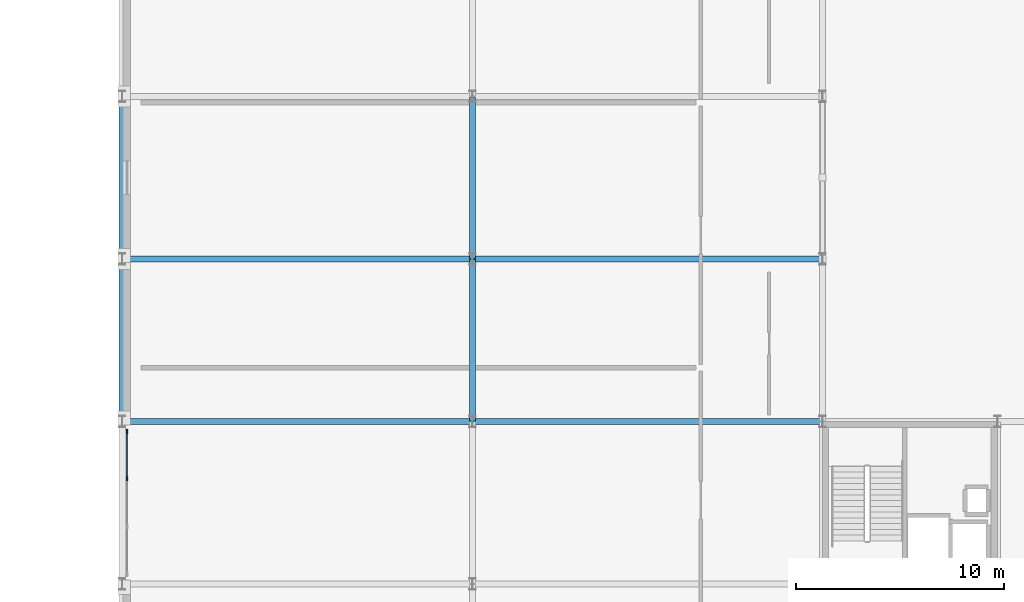
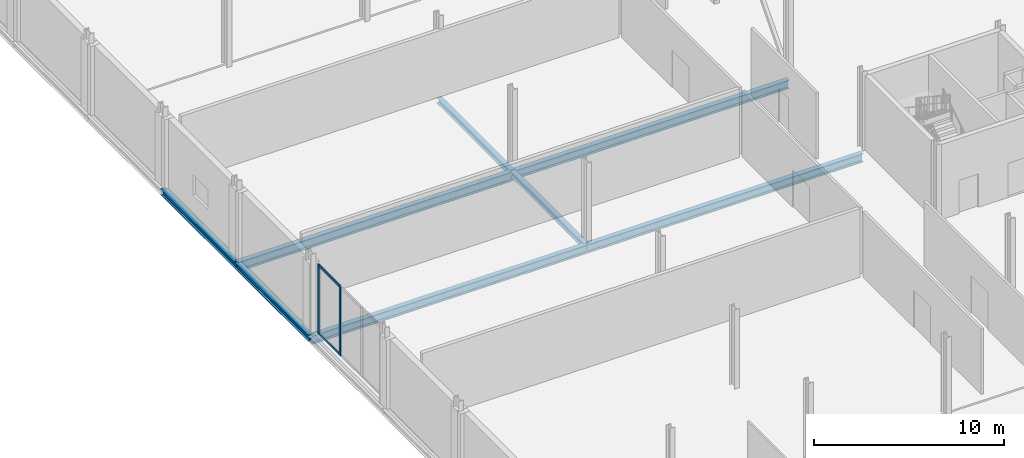
# One storey, part 39 of 105: 8 beams, 4 members, 1 element without a shape of its own.
"""IFC4 building model written with IfcOpenShell, lengths in metres."""

import ifcopenshell
import ifcopenshell.guid

model = None  # the IFC model being written
_history = None  # IfcOwnerHistory: only IFC2X3 demands one
_inside = {}  # id of a spatial element -> (the spatial element, [elements in it])
_under = {}  # id of a project, library or spatial element -> (it, [spatial elements below it])
_declared = {}  # id of a project -> (the project, [libraries it declares])
_typed = {}  # id of a type object -> (the type object, [elements of that type])
_made_of = {}  # id of a material, layer set ... -> (it, [elements and type objects made of it])


def new_model(schema):
    """Start an empty IFC model of exactly this schema.

    Asked for "IFC4X3", IfcOpenShell would pick the latest addendum, in which some entities
    have other attributes; the version numbers below select the first issue.
    IFC2X3 requires an IfcOwnerHistory on every rooted entity: one is made here for all.
    """
    global model, _history
    if schema == "IFC4X3":
        model = ifcopenshell.file(schema_version=(4, 3, 0, 0))
    else:
        model = ifcopenshell.file(schema=schema)
    _inside.clear()
    _under.clear()
    _declared.clear()
    _typed.clear()
    _made_of.clear()
    _history = None
    if model.schema == "IFC2X3":
        org = make("IfcOrganization", Name="unknown")
        user = make(
            "IfcPersonAndOrganization",
            ThePerson=make("IfcPerson", FamilyName="unknown"),
            TheOrganization=org,
        )
        app = make(
            "IfcApplication",
            ApplicationDeveloper=org,
            Version="unknown",
            ApplicationFullName="unknown",
            ApplicationIdentifier="unknown",
        )
        _history = make(
            "IfcOwnerHistory",
            OwningUser=user,
            OwningApplication=app,
            ChangeAction="ADDED",
            CreationDate=0,
        )
    return model


def make(cls, **values):
    """One entity of the class cls with the attributes given. An attribute that is None is left unset."""
    return model.create_entity(
        cls, **{name: value for name, value in values.items() if value is not None}
    )


def rooted(cls, **values):
    """An entity with a GlobalId (a new one), such as an element, a storey or a relation."""
    return make(cls, GlobalId=ifcopenshell.guid.new(), OwnerHistory=_history, **values)


def si_unit(unit_type, name, prefix=None):
    """IfcSIUnit, for example si_unit("LENGTHUNIT", "METRE", prefix="MILLI")."""
    return make("IfcSIUnit", UnitType=unit_type, Prefix=prefix, Name=name)


def assignment(units):
    """IfcUnitAssignment: the units of a project."""
    return None if units is None else make("IfcUnitAssignment", Units=units)


def point(xyz):
    """IfcCartesianPoint."""
    return None if xyz is None else make("IfcCartesianPoint", Coordinates=xyz)


def direction(xyz):
    """IfcDirection."""
    return None if xyz is None else make("IfcDirection", DirectionRatios=xyz)


def frame(location, z_axis=None, x_axis=None):
    """IfcAxis2Placement3D, a coordinate frame: its origin and axes. An axis left out is left unset."""
    return make(
        "IfcAxis2Placement3D",
        Location=point(location),
        Axis=direction(z_axis),
        RefDirection=direction(x_axis),
    )


def frame_2d(location, x_axis=None):
    """IfcAxis2Placement2D, a coordinate frame in the plane: its origin and x axis."""
    return make(
        "IfcAxis2Placement2D", Location=point(location), RefDirection=direction(x_axis)
    )


def origin():
    """The frame at (0, 0, 0) with its axes left unset."""
    return frame((0.0, 0.0, 0.0))


def origin_2d():
    """The frame at (0, 0) in the plane with its x axis left unset."""
    return frame_2d((0.0, 0.0))


def place(relative_to, where):
    """IfcLocalPlacement: puts the frame where relative to a parent placement (None: the world)."""
    return make(
        "IfcLocalPlacement", PlacementRelTo=relative_to, RelativePlacement=where
    )


def context(
    kind, dimensions, precision=None, world=None, true_north=None, identifier=None
):
    """IfcGeometricRepresentationContext, for example the 3D "Model" context."""
    return make(
        "IfcGeometricRepresentationContext",
        ContextIdentifier=identifier,
        ContextType=kind,
        CoordinateSpaceDimension=dimensions,
        Precision=precision,
        WorldCoordinateSystem=world,
        TrueNorth=true_north,
    )


def subcontext(parent, identifier, kind, view, scale=None):
    """IfcGeometricRepresentationSubContext, for example "Body" below "Model"."""
    return make(
        "IfcGeometricRepresentationSubContext",
        ContextIdentifier=identifier,
        ContextType=kind,
        ParentContext=parent,
        TargetScale=scale,
        TargetView=view,
    )


def project(units=None, contexts=None):
    """IfcProject with its units and contexts."""
    return rooted(
        "IfcProject",
        Name="project",
        RepresentationContexts=contexts,
        UnitsInContext=assignment(units),
    )


def spatial(cls, under=None, at=None, **own):
    """A site, building, storey or space (cls), placed at a placement, below another one or the project."""
    s = rooted(cls, ObjectPlacement=at, **own)
    if under is not None:
        _under.setdefault(under.id(), (under, []))[1].append(s)
    return s


def profile(cls, at=None, kind="AREA", **sizes):
    """A parametric profile (cls). Its sizes go by their IFC names, for example OverallWidth=200.0."""
    return make(cls, ProfileType=kind, Position=at, **sizes)


def rectangle(**sizes):
    """IfcRectangleProfileDef."""
    return profile("IfcRectangleProfileDef", **sizes)


def i_section(**sizes):
    """IfcIShapeProfileDef."""
    return profile("IfcIShapeProfileDef", **sizes)


def extrude(swept, where, along, depth):
    """IfcExtrudedAreaSolid: the profile swept, set in the frame where, extruded along a direction by depth."""
    return make(
        "IfcExtrudedAreaSolid",
        SweptArea=swept,
        Position=where,
        ExtrudedDirection=direction(along),
        Depth=depth,
    )


def shape(context_of_items, identifier, shape_type, items):
    """IfcShapeRepresentation: the items that make up one representation, for example the "Body"."""
    return make(
        "IfcShapeRepresentation",
        ContextOfItems=context_of_items,
        RepresentationIdentifier=identifier,
        RepresentationType=shape_type,
        Items=items,
    )


def material(Name=None, Category=None):
    """IfcMaterial."""
    return make("IfcMaterial", Name=Name, Category=Category)


def material_profile(
    of_material, cross_section, Name=None, Category=None, Priority=None
):
    """IfcMaterialProfile: a cross section and its material."""
    return make(
        "IfcMaterialProfile",
        Name=Name,
        Material=of_material,
        Profile=cross_section,
        Priority=Priority,
        Category=Category,
    )


def profile_set(profiles, Name=None, composite=None):
    """IfcMaterialProfileSet."""
    return make(
        "IfcMaterialProfileSet",
        Name=Name,
        MaterialProfiles=profiles,
        CompositeProfile=composite,
    )


def made_of(thing, what):
    """Note that an element or type object is made of a material, layer set ...; save() writes the relation."""
    if what is not None:
        _made_of.setdefault(what.id(), (what, []))[1].append(thing)
    return thing


def type_object(cls, material=None, **own):
    """A type object (cls), such as IfcWallType, which elements share."""
    return made_of(rooted(cls, **own), material)


def element(
    cls,
    number,
    at=None,
    inside=None,
    cuts=None,
    type_object=None,
    material=None,
    context=None,
    identifier="Body",
    shape_type=None,
    held_by="IfcProductDefinitionShape",
    body=None,
    shapes=None,
    **own,
):
    """One element of the class cls, such as IfcWall. Its Tag is "e" and its number.

    at: its placement. inside: the storey or other place that contains it. cuts: it is an
    opening in that element (IfcRelVoidsElement). A single representation is given by context,
    identifier, shape_type and body (its items); several are given by shapes. held_by: the class
    of the entity that holds the representations. save() writes the other relations.
    """
    e = rooted(cls, Tag="e%d" % number, ObjectPlacement=at, **own)
    if body is not None:
        shapes = [shape(context, identifier, shape_type, body)]
    if shapes is not None:
        e.Representation = make(held_by, Representations=shapes)
    if inside is not None:
        _inside.setdefault(inside.id(), (inside, []))[1].append(e)
    if cuts is not None:
        rooted(
            "IfcRelVoidsElement", RelatingBuildingElement=cuts, RelatedOpeningElement=e
        )
    if type_object is not None:
        _typed.setdefault(type_object.id(), (type_object, []))[1].append(e)
    return made_of(e, material)


def aggregate(whole, parts):
    """IfcRelAggregates: a whole, such as a stair, and the parts it consists of."""
    return rooted("IfcRelAggregates", RelatingObject=whole, RelatedObjects=parts)


def save(model, path):
    """Write the relations noted so far, then the file.

    IfcRelAggregates (storeys below a building ...), IfcRelContainedInSpatialStructure (elements
    in a storey), IfcRelDefinesByType, IfcRelAssociatesMaterial and IfcRelDeclares: one each for
    every whole, place, type object, material and project.
    """
    for whole, parts in _under.values():
        aggregate(whole, parts)
    for where, things in _inside.values():
        rooted(
            "IfcRelContainedInSpatialStructure",
            RelatedElements=things,
            RelatingStructure=where,
        )
    for kind, things in _typed.values():
        rooted("IfcRelDefinesByType", RelatedObjects=things, RelatingType=kind)
    for what, things in _made_of.values():
        rooted("IfcRelAssociatesMaterial", RelatedObjects=things, RelatingMaterial=what)
    for by, libraries in _declared.values():
        rooted("IfcRelDeclares", RelatingContext=by, RelatedDefinitions=libraries)
    model.write(path)


model = new_model("IFC4")

# Units and contexts
model_context = context("Model", 3, precision=1e-05, world=origin(), true_north=direction((0.0, 1.0)))
body_context = subcontext(model_context, "Body", "Model", "MODEL_VIEW")
ifc_project = project(units=[si_unit("LENGTHUNIT", "METRE"), si_unit("AREAUNIT", "SQUARE_METRE"), si_unit("VOLUMEUNIT", "CUBIC_METRE"), si_unit("PLANEANGLEUNIT", "RADIAN"), si_unit("MASSUNIT", "GRAM", prefix="KILO")], contexts=[model_context])

# Site, building, storey
site_placement = place(None, origin())
site = spatial("IfcSite", under=ifc_project, at=site_placement, CompositionType="ELEMENT")
building_placement = place(site_placement, origin())
building = spatial("IfcBuilding", under=site, at=building_placement, Name="Nabrawat Pavilion Hospital", CompositionType="ELEMENT")
storey_placement = place(building_placement, frame((0.0, 0.0, 5.10009765625)))
storey = spatial("IfcBuildingStorey", under=building, at=storey_placement, Name="L01", CompositionType="ELEMENT", Elevation=5.10009765625)

# Curtain wall, members
ifc_material_1 = material(Name="Anodised Aluminium", Category="aluminium")
curtain_wall_type = type_object("IfcCurtainWallType", Name="Emergency Concourse Glazed Screen", PredefinedType="USERDEFINED", material=ifc_material_1)
curtain_wall_placement = place(storey_placement, origin())
curtain_wall = element("IfcCurtainWall", 1, at=curtain_wall_placement, inside=storey, type_object=curtain_wall_type, Name="L01 Emergency Concourse Glazed Screen 031", ObjectType="CURTAIN WALL", PredefinedType="USERDEFINED")
ifc_material_profile_1 = material_profile(ifc_material_1, rectangle(XDim=0.070068359375, YDim=0.199951171875, at=origin_2d()), Name="CWM 70x200")
ifc_profile_set_1 = profile_set([ifc_material_profile_1], Name="Anodised Aluminium")
member_type_1 = type_object("IfcMemberType", Name="Emergency Concourse Glazed Screen Mullion CWM 70x200", PredefinedType="MULLION", material=ifc_profile_set_1)
member_1_placement = place(storey_placement, frame((0.219970703125, 59.651611328125, 0.0), z_axis=(0.0, 0.0, 1.0), x_axis=(-1.0, 0.0, 0.0)))
member_1 = element("IfcMember", 2, at=member_1_placement, type_object=member_type_1, Name="CW-ED-01 mullion 3", PredefinedType="MULLION", context=body_context, shape_type="SweptSolid", body=[
    extrude(rectangle(XDim=0.070068359375, YDim=0.199951171875, at=origin_2d()), origin(), (0.0, 0.0, 1.0), 4.4599609375),
])
member_2_placement = place(storey_placement, frame((0.219970703125, 61.919921875, 0.0), z_axis=(0.0, 0.0, 1.0), x_axis=(-1.0, 0.0, 0.0)))
member_2 = element("IfcMember", 3, at=member_2_placement, type_object=member_type_1, Name="CW-ED-01 mullion 4", PredefinedType="MULLION", context=body_context, shape_type="SweptSolid", body=[
    extrude(rectangle(XDim=0.070068359375, YDim=0.199951171875, at=origin_2d()), origin(), (0.0, 0.0, 1.0), 4.4599609375),
])
ifc_material_profile_2 = material_profile(ifc_material_1, rectangle(XDim=0.070068359375, YDim=0.14990234375, at=origin_2d()), Name="CWT 70x150")
ifc_profile_set_2 = profile_set([ifc_material_profile_2], Name="Anodised Aluminium")
member_type_2 = type_object("IfcMemberType", Name="Emergency Concourse Glazed Screen Transom CWT 70x150", PredefinedType="USERDEFINED", material=ifc_profile_set_2)
member_3_placement = place(storey_placement, frame((0.219970703125, 59.686767578125, 0.034912109375), z_axis=(0.0, 1.0, 0.0), x_axis=(-1.0, 0.0, 0.0)))
member_3 = element("IfcMember", 4, at=member_3_placement, type_object=member_type_2, Name="CW-ED-01 transom 3.1", ObjectType="TRANSOM", PredefinedType="USERDEFINED", context=body_context, shape_type="SweptSolid", body=[
    extrude(rectangle(XDim=0.070068359375, YDim=0.14990234375, at=origin_2d()), origin(), (0.0, 0.0, 1.0), 2.1982421875),
])
member_4_placement = place(storey_placement, frame((0.219970703125, 59.686767578125, 4.4248046875), z_axis=(0.0, 1.0, 0.0), x_axis=(-1.0, 0.0, 0.0)))
member_4 = element("IfcMember", 5, at=member_4_placement, type_object=member_type_2, Name="CW-ED-01 transom 3.2", ObjectType="TRANSOM", PredefinedType="USERDEFINED", context=body_context, shape_type="SweptSolid", body=[
    extrude(rectangle(XDim=0.070068359375, YDim=0.14990234375, at=origin_2d()), origin(), (0.0, 0.0, 1.0), 2.1982421875),
])
aggregate(curtain_wall, [member_1, member_2, member_3, member_4])

# Beams
ifc_material_2 = material(Name="Steel S355", Category="steel")
ifc_material_profile_3 = material_profile(ifc_material_2, i_section(OverallWidth=0.300048828125, OverallDepth=0.389892578125, WebThickness=0.010986328125, FlangeThickness=0.01904296875, FilletRadius=0.027099609375, at=origin_2d()), Name="HEA 400")
ifc_profile_set_3 = profile_set([ifc_material_profile_3], Name="Steel S355")
beam_type_1 = type_object("IfcBeamType", Name="Perimeter Moment Spandrel Beam HEA 400", PredefinedType="SPANDREL", material=ifc_profile_set_3)
for number, where, z_axis, x_axis, name in (
    (6, (0.0, 62.419921875, -0.465087890625), (0.0, 1.0, 0.0), (-1.0, 0.0, 0.0), "L01 Primary Y Beam 702"),
    (7, (0.0, 70.219970703125, -0.465087890625), (0.0, 1.0, 0.0), (-1.0, 0.0, 0.0), "L01 Primary Y Beam 703"),
):
    element("IfcBeam", number, at=place(storey_placement, frame(where, z_axis=z_axis, x_axis=x_axis)), inside=storey, type_object=beam_type_1, Name=name, PredefinedType="SPANDREL", context=body_context, shape_type="SweptSolid", body=[
        extrude(i_section(OverallWidth=0.300048828125, OverallDepth=0.389892578125, WebThickness=0.010986328125, FlangeThickness=0.01904296875, FilletRadius=0.027099609375, at=origin_2d()), origin(), (0.0, 0.0, 1.0), 7.760009765625),
    ])
ifc_material_profile_4 = material_profile(ifc_material_2, i_section(OverallWidth=0.300048828125, OverallDepth=0.550048828125, WebThickness=0.014892578125, FlangeThickness=0.029052734375, FilletRadius=0.027099609375, at=origin_2d()), Name="HEB 550")
ifc_profile_set_4 = profile_set([ifc_material_profile_4], Name="Steel S355")
beam_type_2 = type_object("IfcBeamType", Name="Primary Floor Girder HEB 550", PredefinedType="USERDEFINED", material=ifc_profile_set_4)
for number, where, z_axis, x_axis, name in (
    (8, (0.02001953125, 62.39990234375, -0.545166015625), (1.0, 0.0, 0.0), (0.0, 1.0, 0.0), "L01 Primary X Girder 562"),
    (9, (16.820068359375, 62.39990234375, -0.545166015625), (1.0, 0.0, 0.0), (0.0, 1.0, 0.0), "L01 Primary X Girder 563"),
    (10, (16.820068359375, 70.199951171875, -0.545166015625), (1.0, 0.0, 0.0), (0.0, 1.0, 0.0), "L01 Primary X Girder 576"),
):
    element("IfcBeam", number, at=place(storey_placement, frame(where, z_axis=z_axis, x_axis=x_axis)), inside=storey, type_object=beam_type_2, Name=name, ObjectType="GIRDER", PredefinedType="USERDEFINED", context=body_context, shape_type="SweptSolid", body=[
        extrude(i_section(OverallWidth=0.300048828125, OverallDepth=0.550048828125, WebThickness=0.014892578125, FlangeThickness=0.029052734375, FilletRadius=0.027099609375, at=origin_2d()), origin(), (0.0, 0.0, 1.0), 16.760009765625),
    ])
ifc_material_profile_5 = material_profile(ifc_material_2, i_section(OverallWidth=0.300048828125, OverallDepth=0.60009765625, WebThickness=0.015380859375, FlangeThickness=0.030029296875, FilletRadius=0.027099609375, at=origin_2d()), Name="HEB 600")
ifc_profile_set_5 = profile_set([ifc_material_profile_5], Name="Steel S355")
beam_type_3 = type_object("IfcBeamType", Name="Primary Long-Span Girder HEB 600", PredefinedType="USERDEFINED", material=ifc_profile_set_5)
beam_placement = place(storey_placement, frame((0.02001953125, 70.199951171875, -0.570068359375), z_axis=(1.0, 0.0, 0.0), x_axis=(0.0, 1.0, 0.0)))
element("IfcBeam", 11, at=beam_placement, inside=storey, type_object=beam_type_3, Name="L01 Primary X Girder 575", ObjectType="GIRDER", PredefinedType="USERDEFINED", context=body_context, shape_type="SweptSolid", body=[
    extrude(i_section(OverallWidth=0.300048828125, OverallDepth=0.60009765625, WebThickness=0.015380859375, FlangeThickness=0.030029296875, FilletRadius=0.027099609375, at=origin_2d()), origin(), (0.0, 0.0, 1.0), 16.760009765625),
])
ifc_material_profile_6 = material_profile(ifc_material_2, i_section(OverallWidth=0.300048828125, OverallDepth=0.35009765625, WebThickness=0.009521484375, FlangeThickness=0.017578125, FilletRadius=0.027099609375, at=origin_2d()), Name="HEA 360")
ifc_profile_set_6 = profile_set([ifc_material_profile_6], Name="Steel S355")
beam_type_4 = type_object("IfcBeamType", Name="Surgical Stiffened Beam HEA 360", PredefinedType="BEAM", material=ifc_profile_set_6)
for number, where, z_axis, x_axis, name in (
    (12, (16.800048828125, 62.419921875, -0.445068359375), (0.0, 1.0, 0.0), (-1.0, 0.0, 0.0), "L01 Primary Y Beam 717"),
    (13, (16.800048828125, 70.219970703125, -0.445068359375), (0.0, 1.0, 0.0), (-1.0, 0.0, 0.0), "L01 Primary Y Beam 718"),
):
    element("IfcBeam", number, at=place(storey_placement, frame(where, z_axis=z_axis, x_axis=x_axis)), inside=storey, type_object=beam_type_4, Name=name, PredefinedType="BEAM", context=body_context, shape_type="SweptSolid", body=[
        extrude(i_section(OverallWidth=0.300048828125, OverallDepth=0.35009765625, WebThickness=0.009521484375, FlangeThickness=0.017578125, FilletRadius=0.027099609375, at=origin_2d()), origin(), (0.0, 0.0, 1.0), 7.760009765625),
    ])

save(model, "model.ifc")
